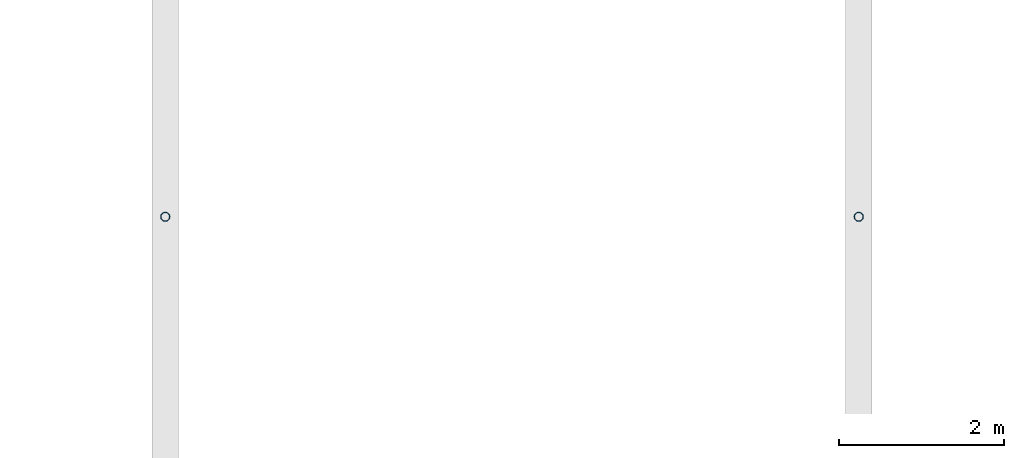
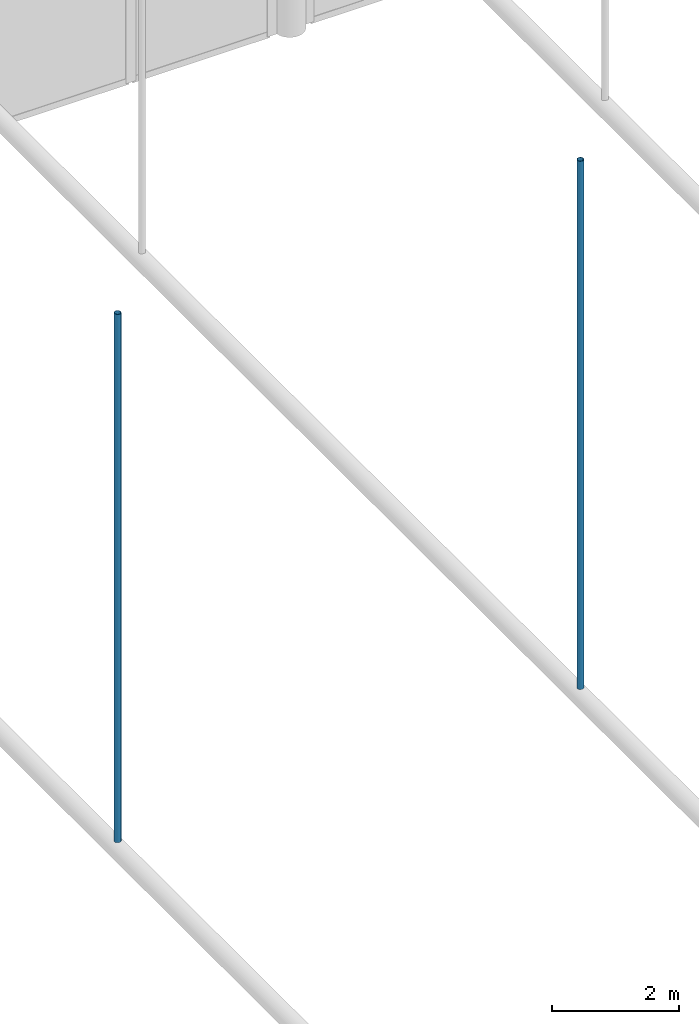
# One storey, part 70 of 167: 2 members.
"""IFC4 building model written with IfcOpenShell, lengths in metres."""

import ifcopenshell
import ifcopenshell.guid

model = None  # the IFC model being written
_history = None  # IfcOwnerHistory: only IFC2X3 demands one
_inside = {}  # id of a spatial element -> (the spatial element, [elements in it])
_under = {}  # id of a project, library or spatial element -> (it, [spatial elements below it])
_declared = {}  # id of a project -> (the project, [libraries it declares])
_typed = {}  # id of a type object -> (the type object, [elements of that type])
_made_of = {}  # id of a material, layer set ... -> (it, [elements and type objects made of it])


def new_model(schema):
    """Start an empty IFC model of exactly this schema.

    Asked for "IFC4X3", IfcOpenShell would pick the latest addendum, in which some entities
    have other attributes; the version numbers below select the first issue.
    IFC2X3 requires an IfcOwnerHistory on every rooted entity: one is made here for all.
    """
    global model, _history
    if schema == "IFC4X3":
        model = ifcopenshell.file(schema_version=(4, 3, 0, 0))
    else:
        model = ifcopenshell.file(schema=schema)
    _inside.clear()
    _under.clear()
    _declared.clear()
    _typed.clear()
    _made_of.clear()
    _history = None
    if model.schema == "IFC2X3":
        org = make("IfcOrganization", Name="unknown")
        user = make(
            "IfcPersonAndOrganization",
            ThePerson=make("IfcPerson", FamilyName="unknown"),
            TheOrganization=org,
        )
        app = make(
            "IfcApplication",
            ApplicationDeveloper=org,
            Version="unknown",
            ApplicationFullName="unknown",
            ApplicationIdentifier="unknown",
        )
        _history = make(
            "IfcOwnerHistory",
            OwningUser=user,
            OwningApplication=app,
            ChangeAction="ADDED",
            CreationDate=0,
        )
    return model


def make(cls, **values):
    """One entity of the class cls with the attributes given. An attribute that is None is left unset."""
    return model.create_entity(
        cls, **{name: value for name, value in values.items() if value is not None}
    )


def rooted(cls, **values):
    """An entity with a GlobalId (a new one), such as an element, a storey or a relation."""
    return make(cls, GlobalId=ifcopenshell.guid.new(), OwnerHistory=_history, **values)


def si_unit(unit_type, name, prefix=None):
    """IfcSIUnit, for example si_unit("LENGTHUNIT", "METRE", prefix="MILLI")."""
    return make("IfcSIUnit", UnitType=unit_type, Prefix=prefix, Name=name)


def assignment(units):
    """IfcUnitAssignment: the units of a project."""
    return None if units is None else make("IfcUnitAssignment", Units=units)


def point(xyz):
    """IfcCartesianPoint."""
    return None if xyz is None else make("IfcCartesianPoint", Coordinates=xyz)


def direction(xyz):
    """IfcDirection."""
    return None if xyz is None else make("IfcDirection", DirectionRatios=xyz)


def frame(location, z_axis=None, x_axis=None):
    """IfcAxis2Placement3D, a coordinate frame: its origin and axes. An axis left out is left unset."""
    return make(
        "IfcAxis2Placement3D",
        Location=point(location),
        Axis=direction(z_axis),
        RefDirection=direction(x_axis),
    )


def frame_2d(location, x_axis=None):
    """IfcAxis2Placement2D, a coordinate frame in the plane: its origin and x axis."""
    return make(
        "IfcAxis2Placement2D", Location=point(location), RefDirection=direction(x_axis)
    )


def origin():
    """The frame at (0, 0, 0) with its axes left unset."""
    return frame((0.0, 0.0, 0.0))


def origin_2d():
    """The frame at (0, 0) in the plane with its x axis left unset."""
    return frame_2d((0.0, 0.0))


def place(relative_to, where):
    """IfcLocalPlacement: puts the frame where relative to a parent placement (None: the world)."""
    return make(
        "IfcLocalPlacement", PlacementRelTo=relative_to, RelativePlacement=where
    )


def context(
    kind, dimensions, precision=None, world=None, true_north=None, identifier=None
):
    """IfcGeometricRepresentationContext, for example the 3D "Model" context."""
    return make(
        "IfcGeometricRepresentationContext",
        ContextIdentifier=identifier,
        ContextType=kind,
        CoordinateSpaceDimension=dimensions,
        Precision=precision,
        WorldCoordinateSystem=world,
        TrueNorth=true_north,
    )


def subcontext(parent, identifier, kind, view, scale=None):
    """IfcGeometricRepresentationSubContext, for example "Body" below "Model"."""
    return make(
        "IfcGeometricRepresentationSubContext",
        ContextIdentifier=identifier,
        ContextType=kind,
        ParentContext=parent,
        TargetScale=scale,
        TargetView=view,
    )


def project(units=None, contexts=None):
    """IfcProject with its units and contexts."""
    return rooted(
        "IfcProject",
        Name="project",
        RepresentationContexts=contexts,
        UnitsInContext=assignment(units),
    )


def spatial(cls, under=None, at=None, **own):
    """A site, building, storey or space (cls), placed at a placement, below another one or the project."""
    s = rooted(cls, ObjectPlacement=at, **own)
    if under is not None:
        _under.setdefault(under.id(), (under, []))[1].append(s)
    return s


def profile(cls, at=None, kind="AREA", **sizes):
    """A parametric profile (cls). Its sizes go by their IFC names, for example OverallWidth=200.0."""
    return make(cls, ProfileType=kind, Position=at, **sizes)


def hollow_circle(**sizes):
    """IfcCircleHollowProfileDef."""
    return profile("IfcCircleHollowProfileDef", **sizes)


def extrude(swept, where, along, depth):
    """IfcExtrudedAreaSolid: the profile swept, set in the frame where, extruded along a direction by depth."""
    return make(
        "IfcExtrudedAreaSolid",
        SweptArea=swept,
        Position=where,
        ExtrudedDirection=direction(along),
        Depth=depth,
    )


def shape(context_of_items, identifier, shape_type, items):
    """IfcShapeRepresentation: the items that make up one representation, for example the "Body"."""
    return make(
        "IfcShapeRepresentation",
        ContextOfItems=context_of_items,
        RepresentationIdentifier=identifier,
        RepresentationType=shape_type,
        Items=items,
    )


def material(Name=None, Category=None):
    """IfcMaterial."""
    return make("IfcMaterial", Name=Name, Category=Category)


def material_profile(
    of_material, cross_section, Name=None, Category=None, Priority=None
):
    """IfcMaterialProfile: a cross section and its material."""
    return make(
        "IfcMaterialProfile",
        Name=Name,
        Material=of_material,
        Profile=cross_section,
        Priority=Priority,
        Category=Category,
    )


def profile_set(profiles, Name=None, composite=None):
    """IfcMaterialProfileSet."""
    return make(
        "IfcMaterialProfileSet",
        Name=Name,
        MaterialProfiles=profiles,
        CompositeProfile=composite,
    )


def made_of(thing, what):
    """Note that an element or type object is made of a material, layer set ...; save() writes the relation."""
    if what is not None:
        _made_of.setdefault(what.id(), (what, []))[1].append(thing)
    return thing


def type_object(cls, material=None, **own):
    """A type object (cls), such as IfcWallType, which elements share."""
    return made_of(rooted(cls, **own), material)


def element(
    cls,
    number,
    at=None,
    inside=None,
    cuts=None,
    type_object=None,
    material=None,
    context=None,
    identifier="Body",
    shape_type=None,
    held_by="IfcProductDefinitionShape",
    body=None,
    shapes=None,
    **own,
):
    """One element of the class cls, such as IfcWall. Its Tag is "e" and its number.

    at: its placement. inside: the storey or other place that contains it. cuts: it is an
    opening in that element (IfcRelVoidsElement). A single representation is given by context,
    identifier, shape_type and body (its items); several are given by shapes. held_by: the class
    of the entity that holds the representations. save() writes the other relations.
    """
    e = rooted(cls, Tag="e%d" % number, ObjectPlacement=at, **own)
    if body is not None:
        shapes = [shape(context, identifier, shape_type, body)]
    if shapes is not None:
        e.Representation = make(held_by, Representations=shapes)
    if inside is not None:
        _inside.setdefault(inside.id(), (inside, []))[1].append(e)
    if cuts is not None:
        rooted(
            "IfcRelVoidsElement", RelatingBuildingElement=cuts, RelatedOpeningElement=e
        )
    if type_object is not None:
        _typed.setdefault(type_object.id(), (type_object, []))[1].append(e)
    return made_of(e, material)


def aggregate(whole, parts):
    """IfcRelAggregates: a whole, such as a stair, and the parts it consists of."""
    return rooted("IfcRelAggregates", RelatingObject=whole, RelatedObjects=parts)


def save(model, path):
    """Write the relations noted so far, then the file.

    IfcRelAggregates (storeys below a building ...), IfcRelContainedInSpatialStructure (elements
    in a storey), IfcRelDefinesByType, IfcRelAssociatesMaterial and IfcRelDeclares: one each for
    every whole, place, type object, material and project.
    """
    for whole, parts in _under.values():
        aggregate(whole, parts)
    for where, things in _inside.values():
        rooted(
            "IfcRelContainedInSpatialStructure",
            RelatedElements=things,
            RelatingStructure=where,
        )
    for kind, things in _typed.values():
        rooted("IfcRelDefinesByType", RelatedObjects=things, RelatingType=kind)
    for what, things in _made_of.values():
        rooted("IfcRelAssociatesMaterial", RelatedObjects=things, RelatingMaterial=what)
    for by, libraries in _declared.values():
        rooted("IfcRelDeclares", RelatingContext=by, RelatedDefinitions=libraries)
    model.write(path)


model = new_model("IFC4")

# Units and contexts
model_context = context("Model", 3, precision=1e-05, world=origin(), true_north=direction((0.0, 1.0)))
body_context = subcontext(model_context, "Body", "Model", "MODEL_VIEW")
ifc_project = project(units=[si_unit("LENGTHUNIT", "METRE"), si_unit("AREAUNIT", "SQUARE_METRE"), si_unit("VOLUMEUNIT", "CUBIC_METRE"), si_unit("PLANEANGLEUNIT", "RADIAN"), si_unit("MASSUNIT", "GRAM", prefix="KILO")], contexts=[model_context])

# Site, building, storey
site_placement = place(None, origin())
site = spatial("IfcSite", under=ifc_project, at=site_placement, CompositionType="ELEMENT")
building_placement = place(site_placement, origin())
building = spatial("IfcBuilding", under=site, at=building_placement, Name="Catenary Quay Ferry Terminal", CompositionType="ELEMENT")
storey_placement = place(building_placement, frame((0.0, 0.0, 6.0)))
storey = spatial("IfcBuildingStorey", under=building, at=storey_placement, Name="L01", CompositionType="ELEMENT", Elevation=6.0)

# Members
ifc_material = material(Name="Steel S355", Category="steel")
ifc_material_profile = material_profile(ifc_material, hollow_circle(Radius=0.05712890625, WallThickness=0.00634765625, at=origin_2d()), Name="CHS 114.3x6.3")
ifc_profile_set = profile_set([ifc_material_profile], Name="Steel S355")
member_type = type_object("IfcMemberType", Name="HG1 CHS 114.3x6.3", PredefinedType="POST", material=ifc_profile_set)
for number, where, z_axis, x_axis, name in (
    (1, (33.60009765625, 119.110107421875, 4.654052734375), (0.0, 0.0, 1.0), (1.0, 0.0, 0.0), "Hanger VD-02-04"),
    (2, (42.0, 119.110107421875, 4.654052734375), (0.0, 0.0, 1.0), (1.0, 0.0, 0.0), "Hanger VD-03-04"),
):
    element("IfcMember", number, at=place(storey_placement, frame(where, z_axis=z_axis, x_axis=x_axis)), inside=storey, type_object=member_type, Name=name, PredefinedType="POST", context=body_context, shape_type="SweptSolid", body=[
        extrude(hollow_circle(Radius=0.05712890625, WallThickness=0.00634765625, at=origin_2d()), origin(), (0.0, 0.0, 1.0), 10.137939453125),
    ])

save(model, "model.ifc")
